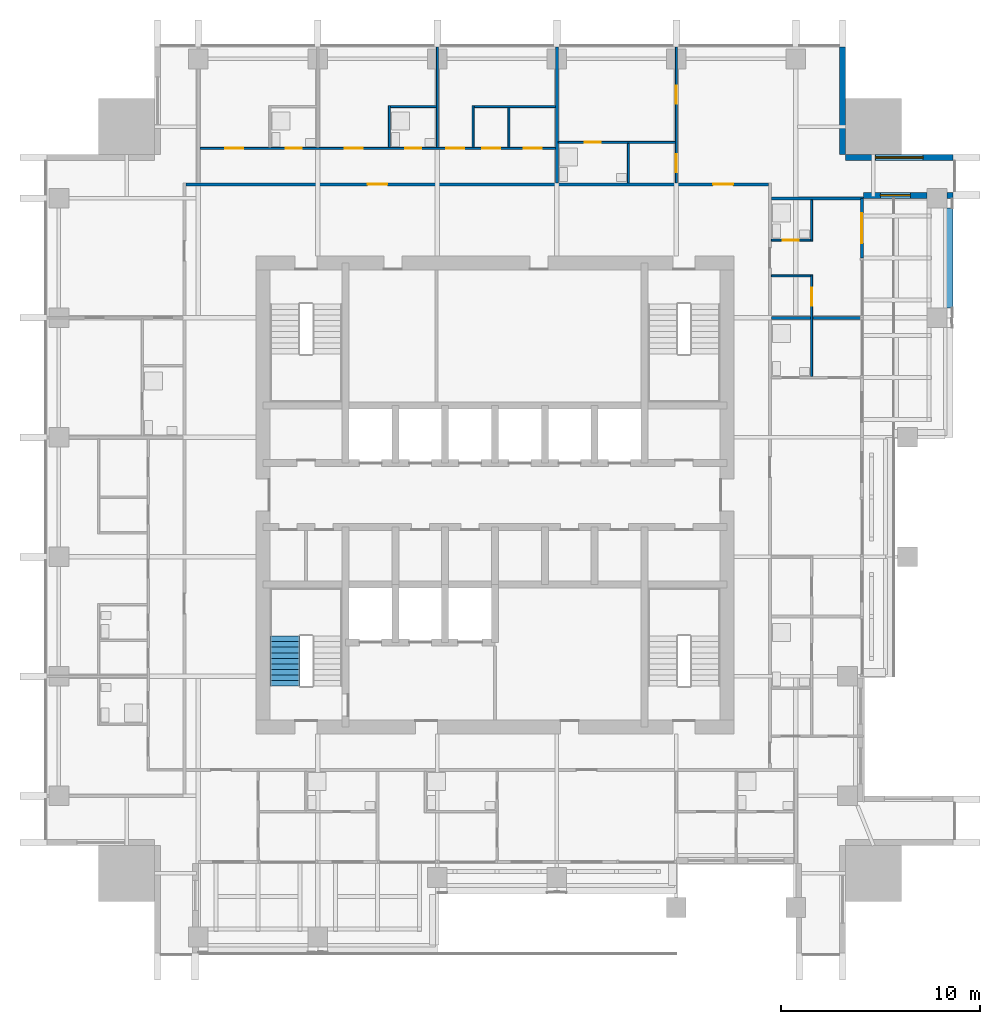
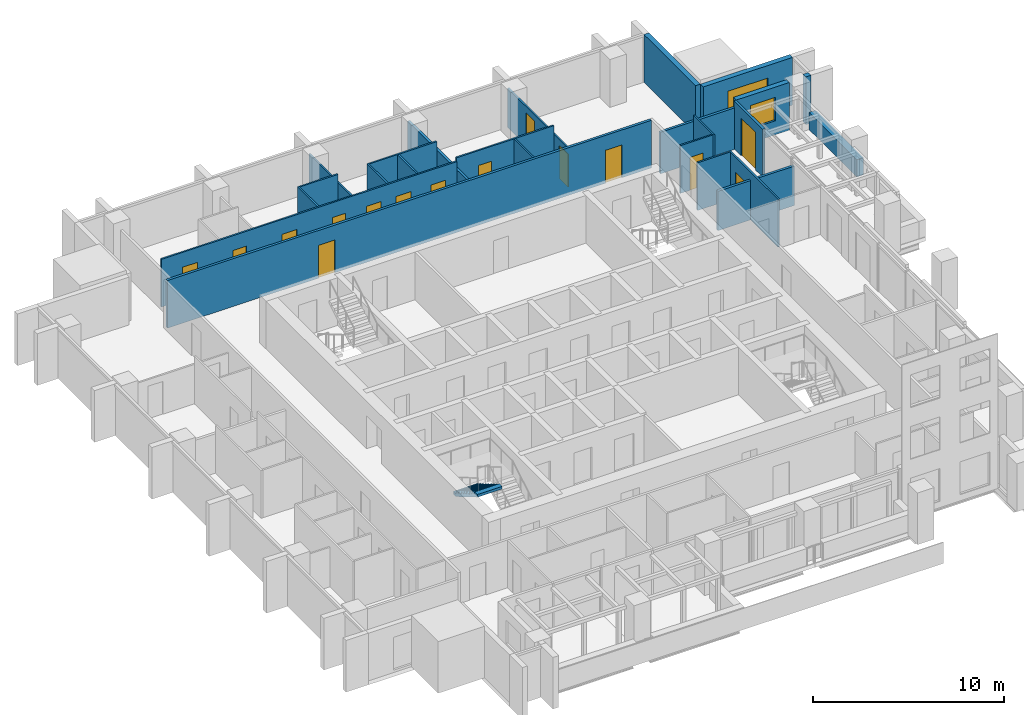
# One storey, part 12 of 16: 24 walls, 15 doors, 2 windows, 1 stair flight, 17 openings, 1 element without a shape of its own.
"""IFC4 building model written with IfcOpenShell, lengths in metres."""

from ifc_helpers import new_model, si_unit, direction, frame, frame_2d, origin, place, context, subcontext, project, spatial, polyline, rectangle, outline, extrude, material, layer, layer_set, type_object, element, fill, aggregate, save


model = new_model("IFC4")

# Units and contexts
model_context = context("Model", 3, precision=1e-05, world=origin(), true_north=direction((0.0, 1.0)))
body_context = subcontext(model_context, "Body", "Model", "MODEL_VIEW")
ifc_project = project(units=[si_unit("LENGTHUNIT", "METRE"), si_unit("AREAUNIT", "SQUARE_METRE"), si_unit("VOLUMEUNIT", "CUBIC_METRE"), si_unit("PLANEANGLEUNIT", "RADIAN"), si_unit("MASSUNIT", "GRAM", prefix="KILO")], contexts=[model_context])

# Site, building, storey
site_placement = place(None, origin())
site = spatial("IfcSite", under=ifc_project, at=site_placement, CompositionType="ELEMENT")
building_placement = place(site_placement, origin())
building = spatial("IfcBuilding", under=site, at=building_placement, Name="Amberfall Residences", CompositionType="ELEMENT")
storey_placement = place(building_placement, frame((0.0, 0.0, 164.800048828125)))
storey = spatial("IfcBuildingStorey", under=building, at=storey_placement, Name="L44", CompositionType="ELEMENT", Elevation=164.800048828125)

# Wall, opening, window
ifc_material_1 = material(Name="Pale stone cladding on insulated backing", Category="masonry")
ifc_layer_1 = layer(ifc_material_1, 0.300048828125)
ifc_layer_set_1 = layer_set([ifc_layer_1], Name="Bronze clad wall 300")
wall_type_1 = type_object("IfcWallType", Name="Bronze clad wall 300", PredefinedType="SOLIDWALL", material=ifc_layer_set_1)
wall_1_placement = place(storey_placement, frame((93.0, 60.550048828125, 0.0), z_axis=(0.0, 0.0, 1.0), x_axis=(1.0, 0.0, 0.0)))
wall_1 = element("IfcWall", 1, at=wall_1_placement, inside=storey, type_object=wall_type_1, Name="External wall L44 E", PredefinedType="SOLIDWALL", context=body_context, shape_type="SweptSolid", body=[
    extrude(rectangle(XDim=3.199951171875, YDim=0.300048828125, at=frame_2d((1.60009765625, 0.0))), origin(), (0.0, 0.0, 1.0), 3.050048828125),
])
opening_1_placement = place(wall_1_placement, frame((0.85009765625, 0.0, 0.89990234375)))
opening_1 = element("IfcOpeningElement", 2, at=opening_1_placement, cuts=wall_1, Name="Opening WN1", PredefinedType="OPENING", context=body_context, shape_type="SweptSolid", body=[
    extrude(rectangle(XDim=1.5, YDim=1.5, at=frame_2d((0.75, 0.75))), frame((0.0, 0.159912109375, 0.0), z_axis=(0.0, -1.0, 0.0), x_axis=(1.0, 0.0, 0.0)), (0.0, 0.0, 1.0), 0.320068359375),
])
ifc_material_2 = material(Name="Bronze aluminium framed glazing", Category="aluminium")
window_type_1 = type_object("IfcWindowType", Name="Window 1500 x 1500 bronze", PartitioningType="DOUBLE_PANEL_VERTICAL", PredefinedType="WINDOW", material=ifc_material_2)
window_1_placement = place(opening_1_placement, origin())
window_1 = element("IfcWindow", 3, at=window_1_placement, inside=storey, type_object=window_type_1, Name="Window L44 E", OverallHeight=1.5, OverallWidth=1.5, PartitioningType="DOUBLE_PANEL_VERTICAL", PredefinedType="WINDOW", context=body_context, shape_type="SweptSolid", body=[
    extrude(rectangle(XDim=1.5, YDim=1.5, at=frame_2d((0.75, 0.75))), frame((0.0, 0.030029296875, 0.0), z_axis=(0.0, -1.0, 0.0), x_axis=(1.0, 0.0, 0.0)), (0.0, 0.0, 1.0), 0.06005859375),
])
fill(opening_1, window_1)

# Wall
wall_2_placement = place(storey_placement, frame((97.199951171875, 60.550048828125, 0.0), z_axis=(0.0, 0.0, 1.0), x_axis=(1.0, 0.0, 0.0)))
element("IfcWall", 4, at=wall_2_placement, inside=storey, type_object=wall_type_1, Name="External wall L44 E", PredefinedType="SOLIDWALL", context=body_context, shape_type="SweptSolid", body=[
    extrude(rectangle(XDim=0.300048828125, YDim=0.300048828125, at=frame_2d((0.14990234375, 0.0))), origin(), (0.0, 0.0, 1.0), 3.050048828125),
])

# Wall, opening, window
wall_3_placement = place(storey_placement, frame((97.5, 62.449951171875, 0.0), z_axis=(0.0, 0.0, 1.0), x_axis=(-1.0, 0.0, 0.0)))
wall_3 = element("IfcWall", 5, at=wall_3_placement, inside=storey, type_object=wall_type_1, Name="External wall L44 NE", PredefinedType="SOLIDWALL", context=body_context, shape_type="SweptSolid", body=[
    extrude(rectangle(XDim=5.39990234375, YDim=0.300048828125, at=frame_2d((2.699951171875, 0.0))), origin(), (0.0, 0.0, 1.0), 3.050048828125),
])
opening_2_placement = place(wall_3_placement, frame((1.5, 0.0, 0.14990234375)))
opening_2 = element("IfcOpeningElement", 6, at=opening_2_placement, cuts=wall_3, Name="Opening WN5", PredefinedType="OPENING", context=body_context, shape_type="SweptSolid", body=[
    extrude(rectangle(XDim=2.39990234375, YDim=2.10009765625, at=frame_2d((1.199951171875, 1.050048828125))), frame((0.0, 0.159912109375, 0.0), z_axis=(0.0, -1.0, 0.0), x_axis=(1.0, 0.0, 0.0)), (0.0, 0.0, 1.0), 0.320068359375),
])
window_type_2 = type_object("IfcWindowType", Name="Glazed opening 2400 x 2100 bronze", PartitioningType="DOUBLE_PANEL_VERTICAL", PredefinedType="WINDOW", material=ifc_material_2)
window_2_placement = place(opening_2_placement, origin())
window_2 = element("IfcWindow", 7, at=window_2_placement, inside=storey, type_object=window_type_2, Name="Window L44 NE", OverallHeight=2.10009765625, OverallWidth=2.39990234375, PartitioningType="DOUBLE_PANEL_VERTICAL", PredefinedType="WINDOW", context=body_context, shape_type="SweptSolid", body=[
    extrude(rectangle(XDim=2.39990234375, YDim=2.10009765625, at=frame_2d((1.199951171875, 1.050048828125))), frame((0.0, 0.030029296875, 0.0), z_axis=(0.0, -1.0, 0.0), x_axis=(1.0, 0.0, 0.0)), (0.0, 0.0, 1.0), 0.06005859375),
])
fill(opening_2, window_2)

# Walls
wall_4_placement = place(storey_placement, frame((91.949951171875, 62.60009765625, 0.0), z_axis=(0.0, 0.0, 1.0), x_axis=(0.0, 1.0, 0.0)))
element("IfcWall", 8, at=wall_4_placement, inside=storey, type_object=wall_type_1, Name="External wall L44 NE", PredefinedType="SOLIDWALL", context=body_context, shape_type="SweptSolid", body=[
    extrude(rectangle(XDim=5.39990234375, YDim=0.300048828125, at=frame_2d((2.699951171875, 0.0))), origin(), (0.0, 0.0, 1.0), 3.050048828125),
])
ifc_material_3 = material(Name="Gypsum board on metal stud")
ifc_layer_2 = layer(ifc_material_3, 0.10009765625)
ifc_layer_set_2 = layer_set([ifc_layer_2], Name="Flat partition 100")
wall_type_2 = type_object("IfcWallType", Name="Flat partition 100", PredefinedType="PARTITIONING", material=ifc_layer_set_2)
wall_5_placement = place(storey_placement, frame((69.199951171875, 62.949951171875, 0.0), z_axis=(0.0, 0.0, 1.0), x_axis=(0.0, 1.0, 0.0)))
element("IfcWall", 9, at=wall_5_placement, inside=storey, type_object=wall_type_2, Name="Partition 009", PredefinedType="PARTITIONING", context=body_context, shape_type="SweptSolid", body=[
    extrude(rectangle(XDim=2.10009765625, YDim=0.10009765625, at=frame_2d((1.050048828125, 0.0))), origin(), (0.0, 0.0, 1.0), 3.050048828125),
])
wall_6_placement = place(storey_placement, frame((71.60009765625, 62.949951171875, 0.0), z_axis=(0.0, 0.0, 1.0), x_axis=(0.0, 1.0, 0.0)))
element("IfcWall", 10, at=wall_6_placement, inside=storey, type_object=wall_type_2, Name="Partition 011", PredefinedType="PARTITIONING", context=body_context, shape_type="SweptSolid", body=[
    extrude(rectangle(XDim=5.050048828125, YDim=0.10009765625, at=frame_2d((2.52490234375, 0.0))), origin(), (0.0, 0.0, 1.0), 2.515869140625),
])
wall_7_placement = place(storey_placement, frame((73.39990234375, 62.949951171875, 0.0), z_axis=(0.0, 0.0, 1.0), x_axis=(0.0, 1.0, 0.0)))
element("IfcWall", 11, at=wall_7_placement, inside=storey, type_object=wall_type_2, Name="Partition 012", PredefinedType="PARTITIONING", context=body_context, shape_type="SweptSolid", body=[
    extrude(rectangle(XDim=2.10009765625, YDim=0.10009765625, at=frame_2d((1.050048828125, 0.0))), origin(), (0.0, 0.0, 1.0), 3.050048828125),
])
wall_8_placement = place(storey_placement, frame((75.199951171875, 62.949951171875, 0.0), z_axis=(0.0, 0.0, 1.0), x_axis=(0.0, 1.0, 0.0)))
element("IfcWall", 12, at=wall_8_placement, inside=storey, type_object=wall_type_2, Name="Partition 014", PredefinedType="PARTITIONING", context=body_context, shape_type="SweptSolid", body=[
    extrude(rectangle(XDim=2.0, YDim=0.10009765625, at=frame_2d((1.0, 0.0))), origin(), (0.0, 0.0, 1.0), 3.050048828125),
])
wall_9_placement = place(storey_placement, frame((81.199951171875, 61.175048828125, 0.0), z_axis=(0.0, 0.0, 1.0), x_axis=(0.0, 1.0, 0.0)))
element("IfcWall", 13, at=wall_9_placement, inside=storey, type_object=wall_type_2, Name="Partition 015", PredefinedType="PARTITIONING", context=body_context, shape_type="SweptSolid", body=[
    extrude(rectangle(XDim=1.974853515625, YDim=0.10009765625, at=frame_2d((0.9873046875, 0.0))), origin(), (0.0, 0.0, 1.0), 3.050048828125),
])

# Wall, openings, doors
wall_10_placement = place(storey_placement, frame((83.60009765625, 61.175048828125, 0.0), z_axis=(0.0, 0.0, 1.0), x_axis=(0.0, 1.0, 0.0)))
wall_10 = element("IfcWall", 14, at=wall_10_placement, inside=storey, type_object=wall_type_2, Name="Partition 017", PredefinedType="PARTITIONING", context=body_context, shape_type="SweptSolid", body=[
    extrude(rectangle(XDim=6.824951171875, YDim=0.10009765625, at=frame_2d((3.41259765625, 0.0))), origin(), (0.0, 0.0, 1.0), 2.515869140625),
])
opening_3_placement = place(wall_10_placement, frame((0.52490234375, 0.0, 0.0)))
opening_3 = element("IfcOpeningElement", 15, at=opening_3_placement, cuts=wall_10, Name="Opening D41", PredefinedType="OPENING", context=body_context, shape_type="SweptSolid", body=[
    extrude(rectangle(XDim=0.89990234375, YDim=2.10009765625, at=frame_2d((0.449951171875, 1.050048828125))), frame((0.0, 0.06005859375, 0.0), z_axis=(0.0, -1.0, 0.0), x_axis=(1.0, 0.0, 0.0)), (0.0, 0.0, 1.0), 0.1201171875),
])
opening_4_placement = place(wall_10_placement, frame((3.97509765625, 0.0, 0.0)))
opening_4 = element("IfcOpeningElement", 16, at=opening_4_placement, cuts=wall_10, Name="Opening D41", PredefinedType="OPENING", context=body_context, shape_type="SweptSolid", body=[
    extrude(rectangle(XDim=0.89990234375, YDim=2.10009765625, at=frame_2d((0.449951171875, 1.050048828125))), frame((0.0, 0.06005859375, 0.0), z_axis=(0.0, -1.0, 0.0), x_axis=(1.0, 0.0, 0.0)), (0.0, 0.0, 1.0), 0.1201171875),
])
ifc_material_4 = material(Name="Timber", Category="wood")
door_type_1 = type_object("IfcDoorType", Name="Internal door 900 x 2100", OperationType="SINGLE_SWING_LEFT", PredefinedType="DOOR", material=ifc_material_4)
door_1_placement = place(opening_3_placement, origin())
door_1 = element("IfcDoor", 17, at=door_1_placement, inside=storey, type_object=door_type_1, Name="Door 4407 kitchen", OperationType="SINGLE_SWING_LEFT", OverallHeight=2.10009765625, OverallWidth=0.89990234375, PredefinedType="DOOR", context=body_context, shape_type="SweptSolid", body=[
    extrude(rectangle(XDim=0.89990234375, YDim=2.10009765625, at=frame_2d((0.449951171875, 1.050048828125))), frame((0.0, 0.02490234375, 0.0), z_axis=(0.0, -1.0, 0.0), x_axis=(1.0, 0.0, 0.0)), (0.0, 0.0, 1.0), 0.050048828125),
])
fill(opening_3, door_1)
door_2_placement = place(opening_4_placement, origin())
door_2 = element("IfcDoor", 18, at=door_2_placement, inside=storey, type_object=door_type_1, Name="Door 4407 bedroom1", OperationType="SINGLE_SWING_LEFT", OverallHeight=2.10009765625, OverallWidth=0.89990234375, PredefinedType="DOOR", context=body_context, shape_type="SweptSolid", body=[
    extrude(rectangle(XDim=0.89990234375, YDim=2.10009765625, at=frame_2d((0.449951171875, 1.050048828125))), frame((0.0, 0.02490234375, 0.0), z_axis=(0.0, -1.0, 0.0), x_axis=(1.0, 0.0, 0.0)), (0.0, 0.0, 1.0), 0.050048828125),
])
fill(opening_4, door_2)

# Wall, opening, door
wall_11_placement = place(storey_placement, frame((90.39990234375, 51.449951171875, 0.0), z_axis=(0.0, 0.0, 1.0), x_axis=(0.0, 1.0, 0.0)))
wall_11 = element("IfcWall", 19, at=wall_11_placement, inside=storey, type_object=wall_type_2, Name="Partition 020", PredefinedType="PARTITIONING", context=body_context, shape_type="SweptSolid", body=[
    extrude(rectangle(XDim=5.10009765625, YDim=0.10009765625, at=frame_2d((2.550048828125, 0.0))), origin(), (0.0, 0.0, 1.0), 3.050048828125),
])
opening_5_placement = place(wall_11_placement, frame((3.550048828125, 0.0, 0.0)))
opening_5 = element("IfcOpeningElement", 20, at=opening_5_placement, cuts=wall_11, Name="Opening D41", PredefinedType="OPENING", context=body_context, shape_type="SweptSolid", body=[
    extrude(rectangle(XDim=0.89990234375, YDim=2.10009765625, at=frame_2d((0.449951171875, 1.050048828125))), frame((0.0, 0.06005859375, 0.0), z_axis=(0.0, -1.0, 0.0), x_axis=(1.0, 0.0, 0.0)), (0.0, 0.0, 1.0), 0.1201171875),
])
door_3_placement = place(opening_5_placement, origin())
door_3 = element("IfcDoor", 21, at=door_3_placement, inside=storey, type_object=door_type_1, Name="Door 4405 kitchen", OperationType="SINGLE_SWING_LEFT", OverallHeight=2.10009765625, OverallWidth=0.89990234375, PredefinedType="DOOR", context=body_context, shape_type="SweptSolid", body=[
    extrude(rectangle(XDim=0.89990234375, YDim=2.10009765625, at=frame_2d((0.449951171875, 1.050048828125))), frame((0.0, 0.02490234375, 0.0), z_axis=(0.0, -1.0, 0.0), x_axis=(1.0, 0.0, 0.0)), (0.0, 0.0, 1.0), 0.050048828125),
])
fill(opening_5, door_3)

# Walls
wall_12_placement = place(storey_placement, frame((90.39990234375, 58.25, 0.0), z_axis=(0.0, 0.0, 1.0), x_axis=(0.0, 1.0, 0.0)))
element("IfcWall", 22, at=wall_12_placement, inside=storey, type_object=wall_type_2, Name="Partition 021", PredefinedType="PARTITIONING", context=body_context, shape_type="SweptSolid", body=[
    extrude(rectangle(XDim=2.074951171875, YDim=0.10009765625, at=frame_2d((1.03759765625, 0.0))), origin(), (0.0, 0.0, 1.0), 3.050048828125),
])
wall_13_placement = place(storey_placement, frame((69.25, 65.0, 0.0), z_axis=(0.0, 0.0, 1.0), x_axis=(1.0, 0.0, 0.0)))
element("IfcWall", 23, at=wall_13_placement, inside=storey, type_object=wall_type_2, Name="Partition 023", PredefinedType="PARTITIONING", context=body_context, shape_type="SweptSolid", body=[
    extrude(rectangle(XDim=2.300048828125, YDim=0.10009765625, at=frame_2d((1.14990234375, 0.0))), origin(), (0.0, 0.0, 1.0), 3.050048828125),
])
wall_14_placement = place(storey_placement, frame((73.449951171875, 65.0, 0.0), z_axis=(0.0, 0.0, 1.0), x_axis=(1.0, 0.0, 0.0)))
element("IfcWall", 24, at=wall_14_placement, inside=storey, type_object=wall_type_2, Name="Partition 024", PredefinedType="PARTITIONING", context=body_context, shape_type="SweptSolid", body=[
    extrude(rectangle(XDim=4.074951171875, YDim=0.10009765625, at=frame_2d((2.03759765625, 0.0))), origin(), (0.0, 0.0, 1.0), 3.050048828125),
])

# Wall, opening, door
wall_15_placement = place(storey_placement, frame((83.550048828125, 63.199951171875, 0.0), z_axis=(0.0, 0.0, 1.0), x_axis=(-1.0, 0.0, 0.0)))
wall_15 = element("IfcWall", 25, at=wall_15_placement, inside=storey, type_object=wall_type_2, Name="Partition 025", PredefinedType="PARTITIONING", context=body_context, shape_type="SweptSolid", body=[
    extrude(rectangle(XDim=5.875, YDim=0.10009765625, at=frame_2d((2.9375, 0.0))), origin(), (0.0, 0.0, 1.0), 3.050048828125),
])
opening_6_placement = place(wall_15_placement, frame((3.75, 0.0, 0.0)))
opening_6 = element("IfcOpeningElement", 26, at=opening_6_placement, cuts=wall_15, Name="Opening D42", PredefinedType="OPENING", context=body_context, shape_type="SweptSolid", body=[
    extrude(rectangle(XDim=0.800048828125, YDim=2.10009765625, at=frame_2d((0.39990234375, 1.050048828125))), frame((0.0, 0.06005859375, 0.0), z_axis=(0.0, -1.0, 0.0), x_axis=(1.0, 0.0, 0.0)), (0.0, 0.0, 1.0), 0.1201171875),
])
door_type_2 = type_object("IfcDoorType", Name="Bathroom door 800 x 2100", OperationType="SINGLE_SWING_LEFT", PredefinedType="DOOR", material=ifc_material_4)
door_4_placement = place(opening_6_placement, origin())
door_4 = element("IfcDoor", 27, at=door_4_placement, inside=storey, type_object=door_type_2, Name="Door 4407 bath1", OperationType="SINGLE_SWING_LEFT", OverallHeight=2.10009765625, OverallWidth=0.800048828125, PredefinedType="DOOR", context=body_context, shape_type="SweptSolid", body=[
    extrude(rectangle(XDim=0.800048828125, YDim=2.10009765625, at=frame_2d((0.39990234375, 1.050048828125))), frame((0.0, 0.02490234375, 0.0), z_axis=(0.0, -1.0, 0.0), x_axis=(1.0, 0.0, 0.0)), (0.0, 0.0, 1.0), 0.050048828125),
])
fill(opening_6, door_4)

# Wall, openings, doors
wall_16_placement = place(storey_placement, frame((59.675048828125, 62.89990234375, 0.0), z_axis=(0.0, 0.0, 1.0), x_axis=(1.0, 0.0, 0.0)))
wall_16 = element("IfcWall", 28, at=wall_16_placement, inside=storey, type_object=wall_type_2, Name="Partition 026", PredefinedType="PARTITIONING", context=body_context, shape_type="SweptSolid", body=[
    extrude(rectangle(XDim=17.849853515625, YDim=0.10009765625, at=frame_2d((8.9248046875, 0.0))), origin(), (0.0, 0.0, 1.0), 3.050048828125),
])
opening_7_placement = place(wall_16_placement, frame((12.375, 0.0, 0.0)))
opening_7 = element("IfcOpeningElement", 29, at=opening_7_placement, cuts=wall_16, Name="Opening D41", PredefinedType="OPENING", context=body_context, shape_type="SweptSolid", body=[
    extrude(rectangle(XDim=0.89990234375, YDim=2.10009765625, at=frame_2d((0.449951171875, 1.050048828125))), frame((0.0, 0.06005859375, 0.0), z_axis=(0.0, -1.0, 0.0), x_axis=(1.0, 0.0, 0.0)), (0.0, 0.0, 1.0), 0.1201171875),
])
opening_8_placement = place(wall_16_placement, frame((16.27490234375, 0.0, 0.0)))
opening_8 = element("IfcOpeningElement", 30, at=opening_8_placement, cuts=wall_16, Name="Opening D41", PredefinedType="OPENING", context=body_context, shape_type="SweptSolid", body=[
    extrude(rectangle(XDim=0.89990234375, YDim=2.10009765625, at=frame_2d((0.449951171875, 1.050048828125))), frame((0.0, 0.06005859375, 0.0), z_axis=(0.0, -1.0, 0.0), x_axis=(1.0, 0.0, 0.0)), (0.0, 0.0, 1.0), 0.1201171875),
])
opening_9_placement = place(wall_16_placement, frame((14.175048828125, 0.0, 0.0)))
opening_9 = element("IfcOpeningElement", 31, at=opening_9_placement, cuts=wall_16, Name="Opening D41", PredefinedType="OPENING", context=body_context, shape_type="SweptSolid", body=[
    extrude(rectangle(XDim=0.89990234375, YDim=2.10009765625, at=frame_2d((0.449951171875, 1.050048828125))), frame((0.0, 0.06005859375, 0.0), z_axis=(0.0, -1.0, 0.0), x_axis=(1.0, 0.0, 0.0)), (0.0, 0.0, 1.0), 0.1201171875),
])
opening_10_placement = place(wall_16_placement, frame((1.27490234375, 0.0, 0.0)))
opening_10 = element("IfcOpeningElement", 32, at=opening_10_placement, cuts=wall_16, Name="Opening D41", PredefinedType="OPENING", context=body_context, shape_type="SweptSolid", body=[
    extrude(rectangle(XDim=0.89990234375, YDim=2.10009765625, at=frame_2d((0.449951171875, 1.050048828125))), frame((0.0, 0.06005859375, 0.0), z_axis=(0.0, -1.0, 0.0), x_axis=(1.0, 0.0, 0.0)), (0.0, 0.0, 1.0), 0.1201171875),
])
opening_11_placement = place(wall_16_placement, frame((7.27490234375, 0.0, 0.0)))
opening_11 = element("IfcOpeningElement", 33, at=opening_11_placement, cuts=wall_16, Name="Opening D41", PredefinedType="OPENING", context=body_context, shape_type="SweptSolid", body=[
    extrude(rectangle(XDim=0.89990234375, YDim=2.10009765625, at=frame_2d((0.449951171875, 1.050048828125))), frame((0.0, 0.06005859375, 0.0), z_axis=(0.0, -1.0, 0.0), x_axis=(1.0, 0.0, 0.0)), (0.0, 0.0, 1.0), 0.1201171875),
])
opening_12_placement = place(wall_16_placement, frame((4.324951171875, 0.0, 0.0)))
opening_12 = element("IfcOpeningElement", 34, at=opening_12_placement, cuts=wall_16, Name="Opening D42", PredefinedType="OPENING", context=body_context, shape_type="SweptSolid", body=[
    extrude(rectangle(XDim=0.800048828125, YDim=2.10009765625, at=frame_2d((0.39990234375, 1.050048828125))), frame((0.0, 0.06005859375, 0.0), z_axis=(0.0, -1.0, 0.0), x_axis=(1.0, 0.0, 0.0)), (0.0, 0.0, 1.0), 0.1201171875),
])
opening_13_placement = place(wall_16_placement, frame((10.324951171875, 0.0, 0.0)))
opening_13 = element("IfcOpeningElement", 35, at=opening_13_placement, cuts=wall_16, Name="Opening D42", PredefinedType="OPENING", context=body_context, shape_type="SweptSolid", body=[
    extrude(rectangle(XDim=0.800048828125, YDim=2.10009765625, at=frame_2d((0.39990234375, 1.050048828125))), frame((0.0, 0.06005859375, 0.0), z_axis=(0.0, -1.0, 0.0), x_axis=(1.0, 0.0, 0.0)), (0.0, 0.0, 1.0), 0.1201171875),
])
door_5_placement = place(opening_12_placement, origin())
door_5 = element("IfcDoor", 36, at=door_5_placement, inside=storey, type_object=door_type_2, Name="Door 4406 bath1", OperationType="SINGLE_SWING_LEFT", OverallHeight=2.10009765625, OverallWidth=0.800048828125, PredefinedType="DOOR", context=body_context, shape_type="SweptSolid", body=[
    extrude(rectangle(XDim=0.800048828125, YDim=2.10009765625, at=frame_2d((0.39990234375, 1.050048828125))), frame((0.0, 0.02490234375, 0.0), z_axis=(0.0, -1.0, 0.0), x_axis=(1.0, 0.0, 0.0)), (0.0, 0.0, 1.0), 0.050048828125),
])
fill(opening_12, door_5)
door_6_placement = place(opening_13_placement, origin())
door_6 = element("IfcDoor", 37, at=door_6_placement, inside=storey, type_object=door_type_2, Name="Door 4406 bath2", OperationType="SINGLE_SWING_LEFT", OverallHeight=2.10009765625, OverallWidth=0.800048828125, PredefinedType="DOOR", context=body_context, shape_type="SweptSolid", body=[
    extrude(rectangle(XDim=0.800048828125, YDim=2.10009765625, at=frame_2d((0.39990234375, 1.050048828125))), frame((0.0, 0.02490234375, 0.0), z_axis=(0.0, -1.0, 0.0), x_axis=(1.0, 0.0, 0.0)), (0.0, 0.0, 1.0), 0.050048828125),
])
fill(opening_13, door_6)
door_7_placement = place(opening_7_placement, origin())
door_7 = element("IfcDoor", 38, at=door_7_placement, inside=storey, type_object=door_type_1, Name="Door 4406 living", OperationType="SINGLE_SWING_LEFT", OverallHeight=2.10009765625, OverallWidth=0.89990234375, PredefinedType="DOOR", context=body_context, shape_type="SweptSolid", body=[
    extrude(rectangle(XDim=0.89990234375, YDim=2.10009765625, at=frame_2d((0.449951171875, 1.050048828125))), frame((0.0, 0.02490234375, 0.0), z_axis=(0.0, -1.0, 0.0), x_axis=(1.0, 0.0, 0.0)), (0.0, 0.0, 1.0), 0.050048828125),
])
fill(opening_7, door_7)
door_8_placement = place(opening_8_placement, origin())
door_8 = element("IfcDoor", 39, at=door_8_placement, inside=storey, type_object=door_type_1, Name="Door 4406 kitchen", OperationType="SINGLE_SWING_LEFT", OverallHeight=2.10009765625, OverallWidth=0.89990234375, PredefinedType="DOOR", context=body_context, shape_type="SweptSolid", body=[
    extrude(rectangle(XDim=0.89990234375, YDim=2.10009765625, at=frame_2d((0.449951171875, 1.050048828125))), frame((0.0, 0.02490234375, 0.0), z_axis=(0.0, -1.0, 0.0), x_axis=(1.0, 0.0, 0.0)), (0.0, 0.0, 1.0), 0.050048828125),
])
fill(opening_8, door_8)
door_9_placement = place(opening_9_placement, origin())
door_9 = element("IfcDoor", 40, at=door_9_placement, inside=storey, type_object=door_type_1, Name="Door 4406 utility", OperationType="SINGLE_SWING_LEFT", OverallHeight=2.10009765625, OverallWidth=0.89990234375, PredefinedType="DOOR", context=body_context, shape_type="SweptSolid", body=[
    extrude(rectangle(XDim=0.89990234375, YDim=2.10009765625, at=frame_2d((0.449951171875, 1.050048828125))), frame((0.0, 0.02490234375, 0.0), z_axis=(0.0, -1.0, 0.0), x_axis=(1.0, 0.0, 0.0)), (0.0, 0.0, 1.0), 0.050048828125),
])
fill(opening_9, door_9)
door_10_placement = place(opening_10_placement, origin())
door_10 = element("IfcDoor", 41, at=door_10_placement, inside=storey, type_object=door_type_1, Name="Door 4406 bedroom1", OperationType="SINGLE_SWING_LEFT", OverallHeight=2.10009765625, OverallWidth=0.89990234375, PredefinedType="DOOR", context=body_context, shape_type="SweptSolid", body=[
    extrude(rectangle(XDim=0.89990234375, YDim=2.10009765625, at=frame_2d((0.449951171875, 1.050048828125))), frame((0.0, 0.02490234375, 0.0), z_axis=(0.0, -1.0, 0.0), x_axis=(1.0, 0.0, 0.0)), (0.0, 0.0, 1.0), 0.050048828125),
])
fill(opening_10, door_10)
door_11_placement = place(opening_11_placement, origin())
door_11 = element("IfcDoor", 42, at=door_11_placement, inside=storey, type_object=door_type_1, Name="Door 4406 bedroom2", OperationType="SINGLE_SWING_LEFT", OverallHeight=2.10009765625, OverallWidth=0.89990234375, PredefinedType="DOOR", context=body_context, shape_type="SweptSolid", body=[
    extrude(rectangle(XDim=0.89990234375, YDim=2.10009765625, at=frame_2d((0.449951171875, 1.050048828125))), frame((0.0, 0.02490234375, 0.0), z_axis=(0.0, -1.0, 0.0), x_axis=(1.0, 0.0, 0.0)), (0.0, 0.0, 1.0), 0.050048828125),
])
fill(opening_11, door_11)

# Wall, opening, door
wall_17_placement = place(storey_placement, frame((88.375, 58.300048828125, 0.0), z_axis=(0.0, 0.0, 1.0), x_axis=(1.0, 0.0, 0.0)))
wall_17 = element("IfcWall", 43, at=wall_17_placement, inside=storey, type_object=wall_type_2, Name="Partition 027", PredefinedType="PARTITIONING", context=body_context, shape_type="SweptSolid", body=[
    extrude(rectangle(XDim=1.97509765625, YDim=0.10009765625, at=frame_2d((0.987548828125, 0.0))), origin(), (0.0, 0.0, 1.0), 3.050048828125),
])
opening_14_placement = place(wall_17_placement, frame((0.574951171875, 0.0, 0.0)))
opening_14 = element("IfcOpeningElement", 44, at=opening_14_placement, cuts=wall_17, Name="Opening D42", PredefinedType="OPENING", context=body_context, shape_type="SweptSolid", body=[
    extrude(rectangle(XDim=0.800048828125, YDim=2.10009765625, at=frame_2d((0.39990234375, 1.050048828125))), frame((0.0, 0.06005859375, 0.0), z_axis=(0.0, -1.0, 0.0), x_axis=(1.0, 0.0, 0.0)), (0.0, 0.0, 1.0), 0.1201171875),
])
door_12_placement = place(opening_14_placement, origin())
door_12 = element("IfcDoor", 45, at=door_12_placement, inside=storey, type_object=door_type_2, Name="Door 4405 bath1", OperationType="SINGLE_SWING_LEFT", OverallHeight=2.10009765625, OverallWidth=0.800048828125, PredefinedType="DOOR", context=body_context, shape_type="SweptSolid", body=[
    extrude(rectangle(XDim=0.800048828125, YDim=2.10009765625, at=frame_2d((0.39990234375, 1.050048828125))), frame((0.0, 0.02490234375, 0.0), z_axis=(0.0, -1.0, 0.0), x_axis=(1.0, 0.0, 0.0)), (0.0, 0.0, 1.0), 0.050048828125),
])
fill(opening_14, door_12)

# Walls
wall_18_placement = place(storey_placement, frame((88.375, 56.5, 0.0), z_axis=(0.0, 0.0, 1.0), x_axis=(1.0, 0.0, 0.0)))
element("IfcWall", 46, at=wall_18_placement, inside=storey, type_object=wall_type_2, Name="Partition 028", PredefinedType="PARTITIONING", context=body_context, shape_type="SweptSolid", body=[
    extrude(rectangle(XDim=1.97509765625, YDim=0.10009765625, at=frame_2d((0.987548828125, 0.0))), origin(), (0.0, 0.0, 1.0), 3.050048828125),
])
ifc_material_5 = material(Name="Blockwork, plastered", Category="masonry")
ifc_layer_3 = layer(ifc_material_5, 0.14990234375)
ifc_layer_set_3 = layer_set([ifc_layer_3], Name="Flat separating wall 150")
wall_type_3 = type_object("IfcWallType", Name="Flat separating wall 150", PredefinedType="PARTITIONING", material=ifc_layer_set_3)
wall_19_placement = place(storey_placement, frame((77.60009765625, 61.175048828125, 0.0), z_axis=(0.0, 0.0, 1.0), x_axis=(0.0, 1.0, 0.0)))
element("IfcWall", 47, at=wall_19_placement, inside=storey, type_object=wall_type_3, Name="Separating wall 048", PredefinedType="PARTITIONING", context=body_context, shape_type="SweptSolid", body=[
    extrude(rectangle(XDim=6.824951171875, YDim=0.14990234375, at=frame_2d((3.41259765625, 0.0))), origin(), (0.0, 0.0, 1.0), 2.515869140625),
])

# Wall, openings, doors
wall_20_placement = place(storey_placement, frame((58.97509765625, 61.10009765625, 0.0), z_axis=(0.0, 0.0, 1.0), x_axis=(1.0, 0.0, 0.0)))
wall_20 = element("IfcWall", 48, at=wall_20_placement, inside=storey, type_object=wall_type_3, Name="Separating wall 051", PredefinedType="PARTITIONING", context=body_context, shape_type="SweptSolid", body=[
    extrude(rectangle(XDim=29.25, YDim=0.14990234375, at=frame_2d((14.625, 0.0))), origin(), (0.0, 0.0, 1.0), 3.050048828125),
])
opening_15_placement = place(wall_20_placement, frame((9.125, 0.0, 0.0)))
opening_15 = element("IfcOpeningElement", 49, at=opening_15_placement, cuts=wall_20, Name="Opening D40", PredefinedType="OPENING", context=body_context, shape_type="SweptSolid", body=[
    extrude(rectangle(XDim=1.0, YDim=2.10009765625, at=frame_2d((0.5, 1.050048828125))), frame((0.0, 0.0849609375, 0.0), z_axis=(0.0, -1.0, 0.0), x_axis=(1.0, 0.0, 0.0)), (0.0, 0.0, 1.0), 0.169921875),
])
opening_16_placement = place(wall_20_placement, frame((26.47509765625, 0.0, 0.0)))
opening_16 = element("IfcOpeningElement", 50, at=opening_16_placement, cuts=wall_20, Name="Opening D40", PredefinedType="OPENING", context=body_context, shape_type="SweptSolid", body=[
    extrude(rectangle(XDim=1.0, YDim=2.10009765625, at=frame_2d((0.5, 1.050048828125))), frame((0.0, 0.0849609375, 0.0), z_axis=(0.0, -1.0, 0.0), x_axis=(1.0, 0.0, 0.0)), (0.0, 0.0, 1.0), 0.169921875),
])
ifc_material_6 = material(Name="Timber, fire-rated", Category="wood")
door_type_3 = type_object("IfcDoorType", Name="Flat entrance door FD60 1000 x 2100", OperationType="SINGLE_SWING_LEFT", PredefinedType="DOOR", material=ifc_material_6)
door_13_placement = place(opening_15_placement, origin())
door_13 = element("IfcDoor", 51, at=door_13_placement, inside=storey, type_object=door_type_3, Name="Door 4406 entrance", OperationType="SINGLE_SWING_LEFT", OverallHeight=2.10009765625, OverallWidth=1.0, PredefinedType="DOOR", context=body_context, shape_type="SweptSolid", body=[
    extrude(rectangle(XDim=1.0, YDim=2.10009765625, at=frame_2d((0.5, 1.050048828125))), frame((0.0, 0.02490234375, 0.0), z_axis=(0.0, -1.0, 0.0), x_axis=(1.0, 0.0, 0.0)), (0.0, 0.0, 1.0), 0.050048828125),
])
fill(opening_15, door_13)
door_14_placement = place(opening_16_placement, origin())
door_14 = element("IfcDoor", 52, at=door_14_placement, inside=storey, type_object=door_type_3, Name="Door 4407 entrance", OperationType="SINGLE_SWING_LEFT", OverallHeight=2.10009765625, OverallWidth=1.0, PredefinedType="DOOR", context=body_context, shape_type="SweptSolid", body=[
    extrude(rectangle(XDim=1.0, YDim=2.10009765625, at=frame_2d((0.5, 1.050048828125))), frame((0.0, 0.02490234375, 0.0), z_axis=(0.0, -1.0, 0.0), x_axis=(1.0, 0.0, 0.0)), (0.0, 0.0, 1.0), 0.050048828125),
])
fill(opening_16, door_14)

# Walls
wall_21_placement = place(storey_placement, frame((88.375, 60.39990234375, 0.0), z_axis=(0.0, 0.0, 1.0), x_axis=(1.0, 0.0, 0.0)))
element("IfcWall", 53, at=wall_21_placement, inside=storey, type_object=wall_type_3, Name="Separating wall 052", PredefinedType="PARTITIONING", context=body_context, shape_type="SweptSolid", body=[
    extrude(rectangle(XDim=4.625, YDim=0.14990234375, at=frame_2d((2.3125, 0.0))), origin(), (0.0, 0.0, 1.0), 2.64697265625),
])
wall_22_placement = place(storey_placement, frame((88.375, 54.39990234375, 0.0), z_axis=(0.0, 0.0, 1.0), x_axis=(1.0, 0.0, 0.0)))
element("IfcWall", 54, at=wall_22_placement, inside=storey, type_object=wall_type_3, Name="Separating wall 053", PredefinedType="PARTITIONING", context=body_context, shape_type="SweptSolid", body=[
    extrude(rectangle(XDim=4.625, YDim=0.14990234375, at=frame_2d((2.3125, 0.0))), origin(), (0.0, 0.0, 1.0), 2.515869140625),
])

# Wall, opening, door
ifc_layer_4 = layer(ifc_material_1, 0.14990234375)
ifc_layer_set_4 = layer_set([ifc_layer_4], Name="Terrace door infill wall 150")
wall_type_4 = type_object("IfcWallType", Name="Terrace door infill wall 150", PredefinedType="SOLIDWALL", material=ifc_layer_set_4)
wall_23_placement = place(storey_placement, frame((92.925048828125, 57.39990234375, 0.0), z_axis=(0.0, 0.0, 1.0), x_axis=(0.0, 1.0, 0.0)))
wall_23 = element("IfcWall", 55, at=wall_23_placement, inside=storey, type_object=wall_type_4, Name="Terrace door wall L44 E5", PredefinedType="SOLIDWALL", context=body_context, shape_type="SweptSolid", body=[
    extrude(rectangle(XDim=3.0, YDim=0.14990234375, at=frame_2d((1.5, 0.0))), origin(), (0.0, 0.0, 1.0), 3.050048828125),
])
opening_17_placement = place(wall_23_placement, frame((0.75, 0.0, 0.0)))
opening_17 = element("IfcOpeningElement", 56, at=opening_17_placement, cuts=wall_23, Name="Opening TD2", PredefinedType="OPENING", context=body_context, shape_type="SweptSolid", body=[
    extrude(rectangle(XDim=1.5, YDim=2.39990234375, at=frame_2d((0.75, 1.199951171875))), frame((0.0, 0.0849609375, 0.0), z_axis=(0.0, -1.0, 0.0), x_axis=(1.0, 0.0, 0.0)), (0.0, 0.0, 1.0), 0.169921875),
])
ifc_material_7 = material(Name="Bronze aluminium framed glazed door", Category="aluminium")
door_type_4 = type_object("IfcDoorType", Name="Terrace sliding door 1500 x 2400", OperationType="DOUBLE_DOOR_SLIDING", PredefinedType="DOOR", material=ifc_material_7)
door_15_placement = place(opening_17_placement, origin())
door_15 = element("IfcDoor", 57, at=door_15_placement, inside=storey, type_object=door_type_4, Name="Terrace door TD2", OperationType="DOUBLE_DOOR_SLIDING", OverallHeight=2.39990234375, OverallWidth=1.5, PredefinedType="DOOR", context=body_context, shape_type="SweptSolid", body=[
    extrude(rectangle(XDim=1.5, YDim=2.39990234375, at=frame_2d((0.75, 1.199951171875))), frame((0.0, 0.02490234375, 0.0), z_axis=(0.0, -1.0, 0.0), x_axis=(1.0, 0.0, 0.0)), (0.0, 0.0, 1.0), 0.050048828125),
])
fill(opening_17, door_15)

# Wall
ifc_material_8 = material(Name="Pale stone faced Concrete C40", Category="masonry")
ifc_layer_5 = layer(ifc_material_8, 0.39990234375)
ifc_layer_set_5 = layer_set([ifc_layer_5], Name="Terrace parapet wall 400")
wall_type_5 = type_object("IfcWallType", Name="Terrace parapet wall 400", PredefinedType="PARAPET", material=ifc_layer_set_5)
wall_24_placement = place(storey_placement, frame((97.300048828125, 54.89990234375, 0.030029296875), z_axis=(0.0, 0.0, 1.0), x_axis=(0.0, 1.0, 0.0)))
element("IfcWall", 58, at=wall_24_placement, inside=storey, type_object=wall_type_5, Name="Terrace parapet L44 E5", PredefinedType="PARAPET", context=body_context, shape_type="SweptSolid", body=[
    extrude(rectangle(XDim=5.0, YDim=0.39990234375, at=frame_2d((2.5, 0.0))), origin(), (0.0, 0.0, 1.0), 1.099853515625),
])

# Stair, stair flight
ifc_material_9 = material(Name="Concrete C40", Category="concrete")
stair_type = type_object("IfcStairType", Name="Exit stair 20 risers 165.0 mm", PredefinedType="HALF_TURN_STAIR", material=ifc_material_9)
stair_placement = place(storey_placement, origin())
stair = element("IfcStair", 59, at=stair_placement, inside=storey, type_object=stair_type, Name="L44 Exit stair 1", PredefinedType="HALF_TURN_STAIR")
stair_flight_type = type_object("IfcStairFlightType", Name="Stair flight 10 risers 165.0 mm", PredefinedType="STRAIGHT", material=ifc_material_9)
stair_flight_placement = place(storey_placement, frame((63.949951171875, 38.419921875, 1.64990234375), z_axis=(0.0, 0.0, 1.0), x_axis=(0.0, -1.0, 0.0)))
stair_flight = element("IfcStairFlight", 60, at=stair_flight_placement, type_object=stair_flight_type, Name="ST3 flight 2", NumberOfRisers=10, NumberOfTreads=9, PredefinedType="STRAIGHT", RiserHeight=0.165, TreadLength=0.28, context=body_context, shape_type="SweptSolid", body=[
    extrude(outline(polyline([(0.0, 0.0), (0.0, 0.1650390625), (0.280029296875, 0.1650390625), (0.280029296875, 0.330078125), (0.56005859375, 0.330078125), (0.56005859375, 0.4951171875), (0.840087890625, 0.4951171875), (0.840087890625, 0.659912109375), (1.1201171875, 0.659912109375), (1.1201171875, 0.824951171875), (1.39990234375, 0.824951171875), (1.39990234375, 0.989990234375), (1.679931640625, 0.989990234375), (1.679931640625, 1.155029296875), (1.9599609375, 1.155029296875), (1.9599609375, 1.320068359375), (2.239990234375, 1.320068359375), (2.239990234375, 1.485107421875), (2.52001953125, 1.485107421875), (2.52001953125, 1.64990234375), (2.52001953125, 1.31103515625), (0.295166015625, 0.0), (0.0, 0.0)])), frame((0.0, 0.75, 0.0), z_axis=(0.0, -1.0, 0.0), x_axis=(1.0, 0.0, 0.0)), (0.0, 0.0, 1.0), 1.5),
])
aggregate(stair, [stair_flight])

save(model, "model.ifc")
